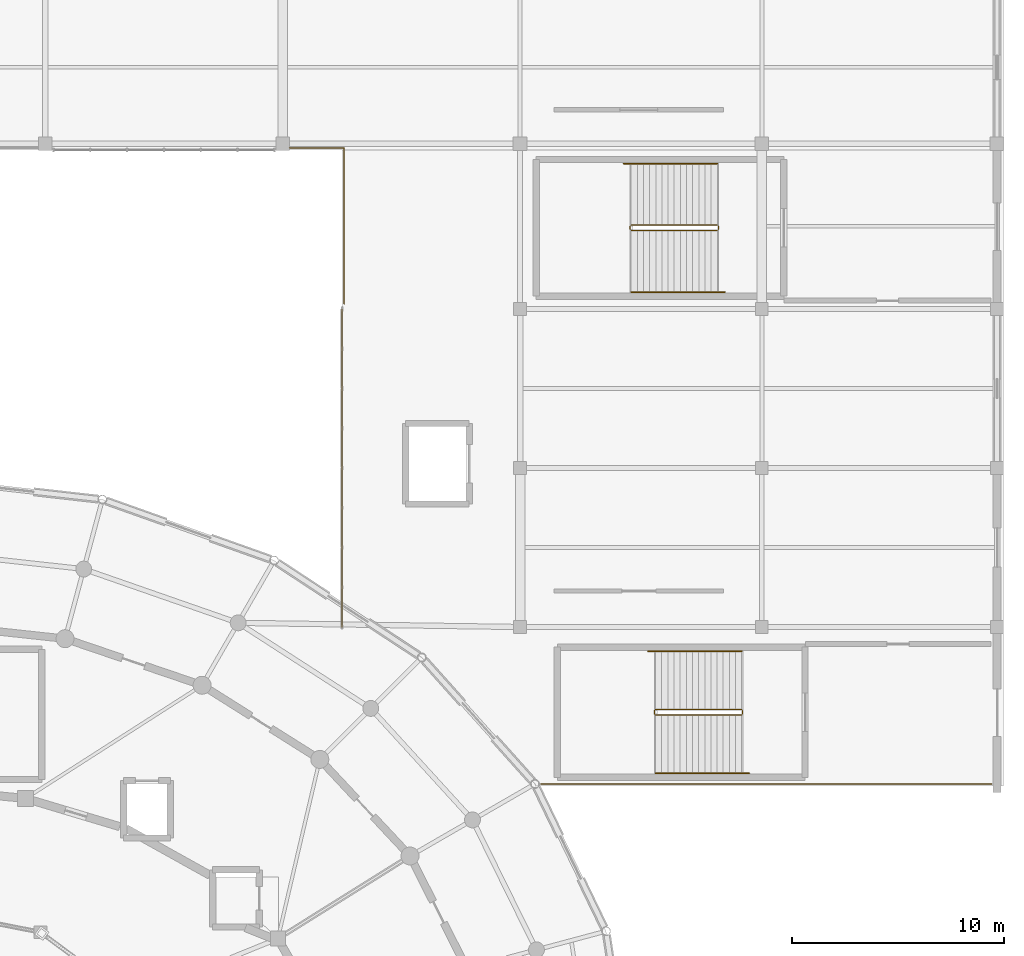
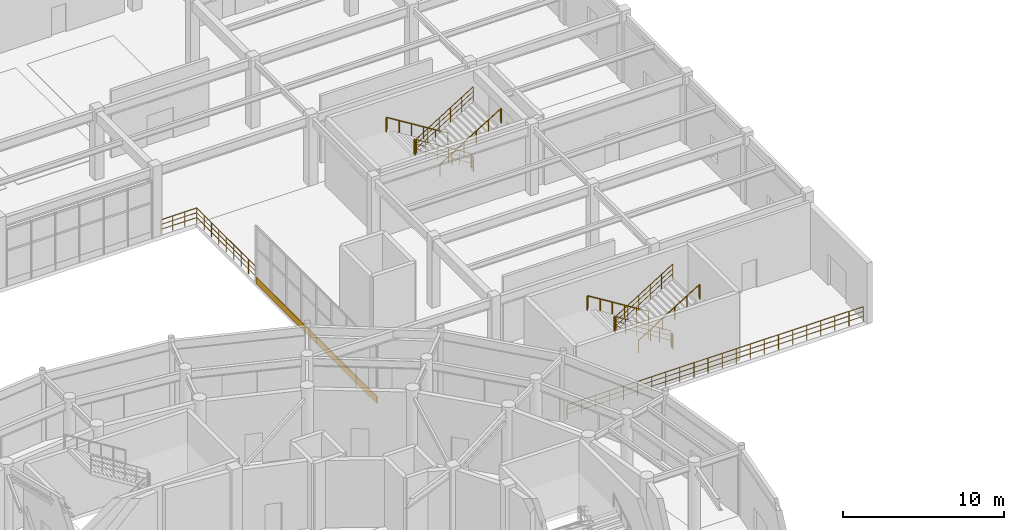
# One storey, part 92 of 93: 15 railings, 2 coverings.
"""IFC4 building model written with IfcOpenShell, lengths in metres."""

from ifc_helpers import new_model, si_unit, direction, frame, origin, origin_2d, place, context, subcontext, project, spatial, rectangle, circle, extrude, material, layer, layer_set, type_object, element, save


model = new_model("IFC4")

# Units and contexts
model_context = context("Model", 3, precision=1e-05, world=origin(), true_north=direction((0.0, 1.0)))
body_context = subcontext(model_context, "Body", "Model", "MODEL_VIEW")
ifc_project = project(units=[si_unit("LENGTHUNIT", "METRE"), si_unit("AREAUNIT", "SQUARE_METRE"), si_unit("VOLUMEUNIT", "CUBIC_METRE"), si_unit("PLANEANGLEUNIT", "RADIAN"), si_unit("MASSUNIT", "GRAM", prefix="KILO")], contexts=[model_context])

# Site, building, storey
site_placement = place(None, origin())
site = spatial("IfcSite", under=ifc_project, at=site_placement, CompositionType="ELEMENT")
building_placement = place(site_placement, origin())
building = spatial("IfcBuilding", under=site, at=building_placement, Name="Cinderbank Siding Concert Hall", CompositionType="ELEMENT")
storey_placement = place(building_placement, origin())
storey = spatial("IfcBuildingStorey", under=building, at=storey_placement, Name="L01", CompositionType="ELEMENT", Elevation=0.0)

# Coverings
ifc_material_1 = material(Name="Spotted gum glulam timber GL18 (42 MPa)", Category="wood")
ifc_layer = layer(ifc_material_1, 0.06494140625)
ifc_layer_set = layer_set([ifc_layer], Name="Spotted gum glulam timber GL18 (42 MPa)")
covering_type = type_object("IfcCoveringType", Name="CL-01 Spotted Gum Spandrel Band 520mm", PredefinedType="CLADDING", material=ifc_layer_set)
for number, where, z_axis, x_axis, name in (
    (1, (142.0, 69.550048828125, 0.0), (0.0, 0.0, 1.0), (0.0, 1.0, 0.0), "CW-L01-144 Spotted Gum Spandrel Band"),
    (2, (142.0, 77.050048828125, 0.0), (0.0, 0.0, 1.0), (0.0, 1.0, 0.0), "CW-L01-145 Spotted Gum Spandrel Band"),
):
    element("IfcCovering", number, at=place(storey_placement, frame(where, z_axis=z_axis, x_axis=x_axis)), inside=storey, type_object=covering_type, Name=name, PredefinedType="CLADDING", context=body_context, shape_type="SweptSolid", body=[
        extrude(rectangle(XDim=7.5, YDim=0.06494140625, at=origin_2d()), origin(), (0.0, 0.0, 1.0), 0.52001953125),
    ])

# Railings
ifc_material_2 = material(Name="Structural steel AS/NZS 3679.1 Grade 350 (340 MPa)", Category="steel")
railing_type_1 = type_object("IfcRailingType", Name="GD-01 Terrace & Perimeter Guardrail 1120mm", PredefinedType="GUARDRAIL", material=ifc_material_2)
railing_1_placement = place(storey_placement, frame((142.10009765625, 81.0400390625, 0.0)))
element("IfcRailing", 3, at=railing_1_placement, inside=storey, type_object=railing_type_1, Name="L01 Perimeter Guardrail #1", PredefinedType="GUARDRAIL", context=body_context, shape_type="SweptSolid", body=[
    extrude(circle(Radius=0.02392578125, at=origin_2d()), frame((0.0, 0.0, 1.09619140625), z_axis=(0.0, 1.0, 0.0), x_axis=(-1.0, 0.0, 0.0)), (0.0, 0.0, 1.0), 7.35986328125),
    extrude(circle(Radius=0.01611328125, at=origin_2d()), frame((0.0, 0.0, 0.36962890625), z_axis=(0.0, 1.0, 0.0), x_axis=(-1.0, 0.0, 0.0)), (0.0, 0.0, 1.0), 7.35986328125),
    extrude(circle(Radius=0.01611328125, at=origin_2d()), frame((0.0, 0.0, 0.7392578125), z_axis=(0.0, 1.0, 0.0), x_axis=(-1.0, 0.0, 0.0)), (0.0, 0.0, 1.0), 7.35986328125),
    extrude(circle(Radius=0.02099609375, at=origin_2d()), origin(), (0.0, 0.0, 1.0), 1.072021484375),
    extrude(circle(Radius=0.02099609375, at=origin_2d()), frame((0.0, 0.919921875, 0.0)), (0.0, 0.0, 1.0), 1.072021484375),
    extrude(circle(Radius=0.02099609375, at=origin_2d()), frame((0.0, 1.83984375, 0.0)), (0.0, 0.0, 1.0), 1.072021484375),
    extrude(circle(Radius=0.02099609375, at=origin_2d()), frame((0.0, 2.760009765625, 0.0)), (0.0, 0.0, 1.0), 1.072021484375),
    extrude(circle(Radius=0.02099609375, at=origin_2d()), frame((0.0, 3.679931640625, 0.0)), (0.0, 0.0, 1.0), 1.072021484375),
    extrude(circle(Radius=0.02099609375, at=origin_2d()), frame((0.0, 4.599853515625, 0.0)), (0.0, 0.0, 1.0), 1.072021484375),
    extrude(circle(Radius=0.02099609375, at=origin_2d()), frame((0.0, 5.52001953125, 0.0)), (0.0, 0.0, 1.0), 1.072021484375),
    extrude(circle(Radius=0.02099609375, at=origin_2d()), frame((0.0, 6.43994140625, 0.0)), (0.0, 0.0, 1.0), 1.072021484375),
    extrude(circle(Radius=0.02099609375, at=origin_2d()), frame((0.0, 7.35986328125, 0.0)), (0.0, 0.0, 1.0), 1.072021484375),
])
railing_2_placement = place(storey_placement, frame((142.10009765625, 88.39990234375, 0.0)))
element("IfcRailing", 4, at=railing_2_placement, inside=storey, type_object=railing_type_1, Name="L01 Perimeter Guardrail #2", PredefinedType="GUARDRAIL", context=body_context, shape_type="SweptSolid", body=[
    extrude(circle(Radius=0.02392578125, at=origin_2d()), frame((0.0, 0.0, 1.09619140625), z_axis=(-1.0, 0.0, 0.0), x_axis=(0.0, -1.0, 0.0)), (0.0, 0.0, 1.0), 2.57177734375),
    extrude(circle(Radius=0.01611328125, at=origin_2d()), frame((0.0, 0.0, 0.36962890625), z_axis=(-1.0, 0.0, 0.0), x_axis=(0.0, -1.0, 0.0)), (0.0, 0.0, 1.0), 2.57177734375),
    extrude(circle(Radius=0.01611328125, at=origin_2d()), frame((0.0, 0.0, 0.7392578125), z_axis=(-1.0, 0.0, 0.0), x_axis=(0.0, -1.0, 0.0)), (0.0, 0.0, 1.0), 2.57177734375),
    extrude(circle(Radius=0.02099609375, at=origin_2d()), origin(), (0.0, 0.0, 1.0), 1.072021484375),
    extrude(circle(Radius=0.02099609375, at=origin_2d()), frame((-0.857177734375, 0.0, 0.0)), (0.0, 0.0, 1.0), 1.072021484375),
    extrude(circle(Radius=0.02099609375, at=origin_2d()), frame((-1.714599609375, 0.0, 0.0)), (0.0, 0.0, 1.0), 1.072021484375),
    extrude(circle(Radius=0.02099609375, at=origin_2d()), frame((-2.57177734375, 0.0, 0.0)), (0.0, 0.0, 1.0), 1.072021484375),
])
railing_3_placement = place(storey_placement, frame((172.639892578125, 58.39990234375, 0.0)))
element("IfcRailing", 5, at=railing_3_placement, inside=storey, type_object=railing_type_1, Name="L01 Perimeter Guardrail #8", PredefinedType="GUARDRAIL", context=body_context, shape_type="SweptSolid", body=[
    extrude(circle(Radius=0.02392578125, at=origin_2d()), frame((0.0, 0.0, 1.09619140625), z_axis=(-1.0, 0.0, 0.0), x_axis=(0.0, -1.0, 0.0)), (0.0, 0.0, 1.0), 21.2626953125),
    extrude(circle(Radius=0.01611328125, at=origin_2d()), frame((0.0, 0.0, 0.36962890625), z_axis=(-1.0, 0.0, 0.0), x_axis=(0.0, -1.0, 0.0)), (0.0, 0.0, 1.0), 21.2626953125),
    extrude(circle(Radius=0.01611328125, at=origin_2d()), frame((0.0, 0.0, 0.7392578125), z_axis=(-1.0, 0.0, 0.0), x_axis=(0.0, -1.0, 0.0)), (0.0, 0.0, 1.0), 21.2626953125),
    extrude(circle(Radius=0.02099609375, at=origin_2d()), origin(), (0.0, 0.0, 1.0), 1.072021484375),
    extrude(circle(Radius=0.02099609375, at=origin_2d()), frame((-1.012451171875, 0.0, 0.0)), (0.0, 0.0, 1.0), 1.072021484375),
    extrude(circle(Radius=0.02099609375, at=origin_2d()), frame((-2.02490234375, 0.0, 0.0)), (0.0, 0.0, 1.0), 1.072021484375),
    extrude(circle(Radius=0.02099609375, at=origin_2d()), frame((-3.03759765625, 0.0, 0.0)), (0.0, 0.0, 1.0), 1.072021484375),
    extrude(circle(Radius=0.02099609375, at=origin_2d()), frame((-4.050048828125, 0.0, 0.0)), (0.0, 0.0, 1.0), 1.072021484375),
    extrude(circle(Radius=0.02099609375, at=origin_2d()), frame((-5.0625, 0.0, 0.0)), (0.0, 0.0, 1.0), 1.072021484375),
    extrude(circle(Radius=0.02099609375, at=origin_2d()), frame((-6.074951171875, 0.0, 0.0)), (0.0, 0.0, 1.0), 1.072021484375),
    extrude(circle(Radius=0.02099609375, at=origin_2d()), frame((-7.087646484375, 0.0, 0.0)), (0.0, 0.0, 1.0), 1.072021484375),
    extrude(circle(Radius=0.02099609375, at=origin_2d()), frame((-8.10009765625, 0.0, 0.0)), (0.0, 0.0, 1.0), 1.072021484375),
    extrude(circle(Radius=0.02099609375, at=origin_2d()), frame((-9.112548828125, 0.0, 0.0)), (0.0, 0.0, 1.0), 1.072021484375),
    extrude(circle(Radius=0.02099609375, at=origin_2d()), frame((-10.125, 0.0, 0.0)), (0.0, 0.0, 1.0), 1.072021484375),
    extrude(circle(Radius=0.02099609375, at=origin_2d()), frame((-11.1376953125, 0.0, 0.0)), (0.0, 0.0, 1.0), 1.072021484375),
    extrude(circle(Radius=0.02099609375, at=origin_2d()), frame((-12.150146484375, 0.0, 0.0)), (0.0, 0.0, 1.0), 1.072021484375),
    extrude(circle(Radius=0.02099609375, at=origin_2d()), frame((-13.16259765625, 0.0, 0.0)), (0.0, 0.0, 1.0), 1.072021484375),
    extrude(circle(Radius=0.02099609375, at=origin_2d()), frame((-14.175048828125, 0.0, 0.0)), (0.0, 0.0, 1.0), 1.072021484375),
    extrude(circle(Radius=0.02099609375, at=origin_2d()), frame((-15.187744140625, 0.0, 0.0)), (0.0, 0.0, 1.0), 1.072021484375),
    extrude(circle(Radius=0.02099609375, at=origin_2d()), frame((-16.2001953125, 0.0, 0.0)), (0.0, 0.0, 1.0), 1.072021484375),
    extrude(circle(Radius=0.02099609375, at=origin_2d()), frame((-17.212646484375, 0.0, 0.0)), (0.0, 0.0, 1.0), 1.072021484375),
    extrude(circle(Radius=0.02099609375, at=origin_2d()), frame((-18.22509765625, 0.0, 0.0)), (0.0, 0.0, 1.0), 1.072021484375),
    extrude(circle(Radius=0.02099609375, at=origin_2d()), frame((-19.23779296875, 0.0, 0.0)), (0.0, 0.0, 1.0), 1.072021484375),
    extrude(circle(Radius=0.02099609375, at=origin_2d()), frame((-20.250244140625, 0.0, 0.0)), (0.0, 0.0, 1.0), 1.072021484375),
    extrude(circle(Radius=0.02099609375, at=origin_2d()), frame((-21.2626953125, 0.0, 0.0)), (0.0, 0.0, 1.0), 1.072021484375),
])
railing_type_2 = type_object("IfcRailingType", Name="STG-01 Stair Well Guardrail 1120mm", PredefinedType="GUARDRAIL", material=ifc_material_2)
railing_4_placement = place(storey_placement, frame((159.699951171875, 84.760009765625, 0.179931640625)))
element("IfcRailing", 6, at=railing_4_placement, inside=storey, type_object=railing_type_2, Name="L01 ST-11 stair guard 1", PredefinedType="GUARDRAIL", context=body_context, shape_type="SweptSolid", body=[
    extrude(circle(Radius=0.02392578125, at=origin_2d()), frame((0.0, 0.0, 1.09619140625), z_axis=(-0.849641744969, 0.0, 0.527360318194), x_axis=(0.0, -1.0, 0.0)), (0.0, 0.0, 1.0), 4.778564453125),
    extrude(circle(Radius=0.01611328125, at=origin_2d()), frame((0.0, 0.0, 0.36962890625), z_axis=(-0.849641744969, 0.0, 0.527360318194), x_axis=(0.0, -1.0, 0.0)), (0.0, 0.0, 1.0), 4.778564453125),
    extrude(circle(Radius=0.01611328125, at=origin_2d()), frame((0.0, 0.0, 0.7392578125), z_axis=(-0.849641744969, 0.0, 0.527360318194), x_axis=(0.0, -1.0, 0.0)), (0.0, 0.0, 1.0), 4.778564453125),
    extrude(circle(Radius=0.02099609375, at=origin_2d()), origin(), (0.0, 0.0, 1.0), 1.072021484375),
    extrude(circle(Radius=0.02099609375, at=origin_2d()), frame((-0.81201171875, 0.0, 0.50390625)), (0.0, 0.0, 1.0), 1.072021484375),
    extrude(circle(Radius=0.02099609375, at=origin_2d()), frame((-1.6240234375, 0.0, 1.008056640625)), (0.0, 0.0, 1.0), 1.072021484375),
    extrude(circle(Radius=0.02099609375, at=origin_2d()), frame((-2.43603515625, 0.0, 1.511962890625)), (0.0, 0.0, 1.0), 1.072021484375),
    extrude(circle(Radius=0.02099609375, at=origin_2d()), frame((-3.248046875, 0.0, 2.01611328125)), (0.0, 0.0, 1.0), 1.072021484375),
    extrude(circle(Radius=0.02099609375, at=origin_2d()), frame((-4.06005859375, 0.0, 2.52001953125)), (0.0, 0.0, 1.0), 1.072021484375),
])
railing_5_placement = place(storey_placement, frame((155.590087890625, 84.7099609375, 2.699951171875)))
element("IfcRailing", 7, at=railing_5_placement, inside=storey, type_object=railing_type_2, Name="L01 ST-11 stair guard 2", PredefinedType="GUARDRAIL", context=body_context, shape_type="SweptSolid", body=[
    extrude(circle(Radius=0.02392578125, at=origin_2d()), frame((0.0, 0.0, 1.09619140625), z_axis=(0.0, -1.0, 0.0), x_axis=(1.0, 0.0, 0.0)), (0.0, 0.0, 1.0), 0.159912109375),
    extrude(circle(Radius=0.01611328125, at=origin_2d()), frame((0.0, 0.0, 0.36962890625), z_axis=(0.0, -1.0, 0.0), x_axis=(1.0, 0.0, 0.0)), (0.0, 0.0, 1.0), 0.159912109375),
    extrude(circle(Radius=0.01611328125, at=origin_2d()), frame((0.0, 0.0, 0.7392578125), z_axis=(0.0, -1.0, 0.0), x_axis=(1.0, 0.0, 0.0)), (0.0, 0.0, 1.0), 0.159912109375),
    extrude(circle(Radius=0.02099609375, at=origin_2d()), origin(), (0.0, 0.0, 1.0), 1.072021484375),
    extrude(circle(Radius=0.02099609375, at=origin_2d()), frame((0.0, -0.159912109375, 0.0)), (0.0, 0.0, 1.0), 1.072021484375),
])
railing_6_placement = place(storey_placement, frame((155.639892578125, 84.5, 2.8798828125)))
element("IfcRailing", 8, at=railing_6_placement, inside=storey, type_object=railing_type_2, Name="L01 ST-11 stair guard 3", PredefinedType="GUARDRAIL", context=body_context, shape_type="SweptSolid", body=[
    extrude(circle(Radius=0.02392578125, at=origin_2d()), frame((0.0, 0.0, 1.09619140625), z_axis=(0.849641744969, 0.0, 0.527360318194), x_axis=(0.0, 1.0, 0.0)), (0.0, 0.0, 1.0), 4.778564453125),
    extrude(circle(Radius=0.01611328125, at=origin_2d()), frame((0.0, 0.0, 0.36962890625), z_axis=(0.849641744969, 0.0, 0.527360318194), x_axis=(0.0, 1.0, 0.0)), (0.0, 0.0, 1.0), 4.778564453125),
    extrude(circle(Radius=0.01611328125, at=origin_2d()), frame((0.0, 0.0, 0.7392578125), z_axis=(0.849641744969, 0.0, 0.527360318194), x_axis=(0.0, 1.0, 0.0)), (0.0, 0.0, 1.0), 4.778564453125),
    extrude(circle(Radius=0.02099609375, at=origin_2d()), origin(), (0.0, 0.0, 1.0), 1.072021484375),
    extrude(circle(Radius=0.02099609375, at=origin_2d()), frame((0.81201171875, 0.0, 0.50390625)), (0.0, 0.0, 1.0), 1.072021484375),
    extrude(circle(Radius=0.02099609375, at=origin_2d()), frame((1.6240234375, 0.0, 1.008056640625)), (0.0, 0.0, 1.0), 1.072021484375),
    extrude(circle(Radius=0.02099609375, at=origin_2d()), frame((2.43603515625, 0.0, 1.511962890625)), (0.0, 0.0, 1.0), 1.072021484375),
    extrude(circle(Radius=0.02099609375, at=origin_2d()), frame((3.248046875, 0.0, 2.01611328125)), (0.0, 0.0, 1.0), 1.072021484375),
    extrude(circle(Radius=0.02099609375, at=origin_2d()), frame((4.06005859375, 0.0, 2.52001953125)), (0.0, 0.0, 1.0), 1.072021484375),
])
railing_7_placement = place(storey_placement, frame((159.75, 84.7099609375, 0.0)))
element("IfcRailing", 9, at=railing_7_placement, inside=storey, type_object=railing_type_2, Name="L01 ST-11 stair guard 4", PredefinedType="GUARDRAIL", context=body_context, shape_type="SweptSolid", body=[
    extrude(circle(Radius=0.02392578125, at=origin_2d()), frame((0.0, 0.0, 1.09619140625), z_axis=(0.0, -1.0, 0.0), x_axis=(1.0, 0.0, 0.0)), (0.0, 0.0, 1.0), 0.159912109375),
    extrude(circle(Radius=0.01611328125, at=origin_2d()), frame((0.0, 0.0, 0.36962890625), z_axis=(0.0, -1.0, 0.0), x_axis=(1.0, 0.0, 0.0)), (0.0, 0.0, 1.0), 0.159912109375),
    extrude(circle(Radius=0.01611328125, at=origin_2d()), frame((0.0, 0.0, 0.7392578125), z_axis=(0.0, -1.0, 0.0), x_axis=(1.0, 0.0, 0.0)), (0.0, 0.0, 1.0), 0.159912109375),
    extrude(circle(Radius=0.02099609375, at=origin_2d()), origin(), (0.0, 0.0, 1.0), 1.072021484375),
    extrude(circle(Radius=0.02099609375, at=origin_2d()), frame((0.0, -0.159912109375, 0.0)), (0.0, 0.0, 1.0), 1.072021484375),
])
railing_8_placement = place(storey_placement, frame((160.85009765625, 61.909912109375, 0.179931640625)))
element("IfcRailing", 10, at=railing_8_placement, inside=storey, type_object=railing_type_2, Name="L01 ST-12 stair guard 1", PredefinedType="GUARDRAIL", context=body_context, shape_type="SweptSolid", body=[
    extrude(circle(Radius=0.02392578125, at=origin_2d()), frame((0.0, 0.0, 1.09619140625), z_axis=(-0.849641744969, 0.0, 0.527360318194), x_axis=(0.0, -1.0, 0.0)), (0.0, 0.0, 1.0), 4.778564453125),
    extrude(circle(Radius=0.01611328125, at=origin_2d()), frame((0.0, 0.0, 0.36962890625), z_axis=(-0.849641744969, 0.0, 0.527360318194), x_axis=(0.0, -1.0, 0.0)), (0.0, 0.0, 1.0), 4.778564453125),
    extrude(circle(Radius=0.01611328125, at=origin_2d()), frame((0.0, 0.0, 0.7392578125), z_axis=(-0.849641744969, 0.0, 0.527360318194), x_axis=(0.0, -1.0, 0.0)), (0.0, 0.0, 1.0), 4.778564453125),
    extrude(circle(Radius=0.02099609375, at=origin_2d()), origin(), (0.0, 0.0, 1.0), 1.072021484375),
    extrude(circle(Radius=0.02099609375, at=origin_2d()), frame((-0.81201171875, 0.0, 0.50390625)), (0.0, 0.0, 1.0), 1.072021484375),
    extrude(circle(Radius=0.02099609375, at=origin_2d()), frame((-1.6240234375, 0.0, 1.008056640625)), (0.0, 0.0, 1.0), 1.072021484375),
    extrude(circle(Radius=0.02099609375, at=origin_2d()), frame((-2.43603515625, 0.0, 1.511962890625)), (0.0, 0.0, 1.0), 1.072021484375),
    extrude(circle(Radius=0.02099609375, at=origin_2d()), frame((-3.248046875, 0.0, 2.01611328125)), (0.0, 0.0, 1.0), 1.072021484375),
    extrude(circle(Radius=0.02099609375, at=origin_2d()), frame((-4.06005859375, 0.0, 2.52001953125)), (0.0, 0.0, 1.0), 1.072021484375),
])
railing_9_placement = place(storey_placement, frame((156.739990234375, 61.860107421875, 2.699951171875)))
element("IfcRailing", 11, at=railing_9_placement, inside=storey, type_object=railing_type_2, Name="L01 ST-12 stair guard 2", PredefinedType="GUARDRAIL", context=body_context, shape_type="SweptSolid", body=[
    extrude(circle(Radius=0.02392578125, at=origin_2d()), frame((0.0, 0.0, 1.09619140625), z_axis=(0.0, -1.0, 0.0), x_axis=(1.0, 0.0, 0.0)), (0.0, 0.0, 1.0), 0.16015625),
    extrude(circle(Radius=0.01611328125, at=origin_2d()), frame((0.0, 0.0, 0.36962890625), z_axis=(0.0, -1.0, 0.0), x_axis=(1.0, 0.0, 0.0)), (0.0, 0.0, 1.0), 0.16015625),
    extrude(circle(Radius=0.01611328125, at=origin_2d()), frame((0.0, 0.0, 0.7392578125), z_axis=(0.0, -1.0, 0.0), x_axis=(1.0, 0.0, 0.0)), (0.0, 0.0, 1.0), 0.16015625),
    extrude(circle(Radius=0.02099609375, at=origin_2d()), origin(), (0.0, 0.0, 1.0), 1.072021484375),
    extrude(circle(Radius=0.02099609375, at=origin_2d()), frame((0.0, -0.16015625, 0.0)), (0.0, 0.0, 1.0), 1.072021484375),
])
railing_10_placement = place(storey_placement, frame((156.7900390625, 61.64990234375, 2.8798828125)))
element("IfcRailing", 12, at=railing_10_placement, inside=storey, type_object=railing_type_2, Name="L01 ST-12 stair guard 3", PredefinedType="GUARDRAIL", context=body_context, shape_type="SweptSolid", body=[
    extrude(circle(Radius=0.02392578125, at=origin_2d()), frame((0.0, 0.0, 1.09619140625), z_axis=(0.849641744969, 0.0, 0.527360318194), x_axis=(0.0, 1.0, 0.0)), (0.0, 0.0, 1.0), 4.778564453125),
    extrude(circle(Radius=0.01611328125, at=origin_2d()), frame((0.0, 0.0, 0.36962890625), z_axis=(0.849641744969, 0.0, 0.527360318194), x_axis=(0.0, 1.0, 0.0)), (0.0, 0.0, 1.0), 4.778564453125),
    extrude(circle(Radius=0.01611328125, at=origin_2d()), frame((0.0, 0.0, 0.7392578125), z_axis=(0.849641744969, 0.0, 0.527360318194), x_axis=(0.0, 1.0, 0.0)), (0.0, 0.0, 1.0), 4.778564453125),
    extrude(circle(Radius=0.02099609375, at=origin_2d()), origin(), (0.0, 0.0, 1.0), 1.072021484375),
    extrude(circle(Radius=0.02099609375, at=origin_2d()), frame((0.81201171875, 0.0, 0.50390625)), (0.0, 0.0, 1.0), 1.072021484375),
    extrude(circle(Radius=0.02099609375, at=origin_2d()), frame((1.6240234375, 0.0, 1.008056640625)), (0.0, 0.0, 1.0), 1.072021484375),
    extrude(circle(Radius=0.02099609375, at=origin_2d()), frame((2.43603515625, 0.0, 1.511962890625)), (0.0, 0.0, 1.0), 1.072021484375),
    extrude(circle(Radius=0.02099609375, at=origin_2d()), frame((3.248046875, 0.0, 2.01611328125)), (0.0, 0.0, 1.0), 1.072021484375),
    extrude(circle(Radius=0.02099609375, at=origin_2d()), frame((4.06005859375, 0.0, 2.52001953125)), (0.0, 0.0, 1.0), 1.072021484375),
])
railing_11_placement = place(storey_placement, frame((160.89990234375, 61.860107421875, 0.0)))
element("IfcRailing", 13, at=railing_11_placement, inside=storey, type_object=railing_type_2, Name="L01 ST-12 stair guard 4", PredefinedType="GUARDRAIL", context=body_context, shape_type="SweptSolid", body=[
    extrude(circle(Radius=0.02392578125, at=origin_2d()), frame((0.0, 0.0, 1.09619140625), z_axis=(0.0, -1.0, 0.0), x_axis=(1.0, 0.0, 0.0)), (0.0, 0.0, 1.0), 0.16015625),
    extrude(circle(Radius=0.01611328125, at=origin_2d()), frame((0.0, 0.0, 0.36962890625), z_axis=(0.0, -1.0, 0.0), x_axis=(1.0, 0.0, 0.0)), (0.0, 0.0, 1.0), 0.16015625),
    extrude(circle(Radius=0.01611328125, at=origin_2d()), frame((0.0, 0.0, 0.7392578125), z_axis=(0.0, -1.0, 0.0), x_axis=(1.0, 0.0, 0.0)), (0.0, 0.0, 1.0), 0.16015625),
    extrude(circle(Radius=0.02099609375, at=origin_2d()), origin(), (0.0, 0.0, 1.0), 1.072021484375),
    extrude(circle(Radius=0.02099609375, at=origin_2d()), frame((0.0, -0.16015625, 0.0)), (0.0, 0.0, 1.0), 1.072021484375),
])
railing_type_3 = type_object("IfcRailingType", Name="STH-01 Stair Pitch Handrail 920mm", PredefinedType="HANDRAIL", material=ifc_material_2)
railing_12_placement = place(storey_placement, frame((159.699951171875, 87.659912109375, 0.179931640625)))
element("IfcRailing", 14, at=railing_12_placement, inside=storey, type_object=railing_type_3, Name="L01 ST-11 stair handrail 1", PredefinedType="HANDRAIL", context=body_context, shape_type="SweptSolid", body=[
    extrude(circle(Radius=0.02392578125, at=origin_2d()), frame((0.0, 0.0, 0.89599609375), z_axis=(-0.849636482215, 0.0, 0.527368797038), x_axis=(0.0, -1.0, 0.0)), (0.0, 0.0, 1.0), 5.11962890625),
    extrude(circle(Radius=0.02392578125, at=origin_2d()), frame((-4.349853515625, 0.0, 3.595703125), z_axis=(-1.0, 0.0, 0.0), x_axis=(0.0, -1.0, 0.0)), (0.0, 0.0, 1.0), 0.06005859375),
    extrude(circle(Radius=0.02099609375, at=origin_2d()), origin(), (0.0, 0.0, 1.0), 0.871826171875),
    extrude(circle(Radius=0.02099609375, at=origin_2d()), frame((-0.869873046875, 0.0, 0.5400390625)), (0.0, 0.0, 1.0), 0.871826171875),
    extrude(circle(Radius=0.02099609375, at=origin_2d()), frame((-1.739990234375, 0.0, 1.080078125)), (0.0, 0.0, 1.0), 0.871826171875),
    extrude(circle(Radius=0.02099609375, at=origin_2d()), frame((-2.60986328125, 0.0, 1.619873046875)), (0.0, 0.0, 1.0), 0.871826171875),
    extrude(circle(Radius=0.02099609375, at=origin_2d()), frame((-3.47998046875, 0.0, 2.159912109375)), (0.0, 0.0, 1.0), 0.871826171875),
    extrude(circle(Radius=0.02099609375, at=origin_2d()), frame((-4.349853515625, 0.0, 2.699951171875)), (0.0, 0.0, 1.0), 0.871826171875),
    extrude(circle(Radius=0.02099609375, at=origin_2d()), frame((-4.409912109375, 0.0, 2.52001953125)), (0.0, 0.0, 1.0), 1.0517578125),
])
railing_13_placement = place(storey_placement, frame((155.639892578125, 81.60009765625, 2.8798828125)))
element("IfcRailing", 15, at=railing_13_placement, inside=storey, type_object=railing_type_3, Name="L01 ST-11 stair handrail 2", PredefinedType="HANDRAIL", context=body_context, shape_type="SweptSolid", body=[
    extrude(circle(Radius=0.02392578125, at=origin_2d()), frame((0.0, 0.0, 0.89599609375), z_axis=(0.849628378081, 0.0, 0.527381853271), x_axis=(0.0, 1.0, 0.0)), (0.0, 0.0, 1.0), 5.1201171875),
    extrude(circle(Radius=0.02392578125, at=origin_2d()), frame((4.35009765625, 0.0, 3.59619140625), z_axis=(1.0, 0.0, 0.0), x_axis=(0.0, 1.0, 0.0)), (0.0, 0.0, 1.0), 0.06005859375),
    extrude(circle(Radius=0.02099609375, at=origin_2d()), origin(), (0.0, 0.0, 1.0), 0.871826171875),
    extrude(circle(Radius=0.02099609375, at=origin_2d()), frame((0.8701171875, 0.0, 0.5400390625)), (0.0, 0.0, 1.0), 0.871826171875),
    extrude(circle(Radius=0.02099609375, at=origin_2d()), frame((1.739990234375, 0.0, 1.080078125)), (0.0, 0.0, 1.0), 0.871826171875),
    extrude(circle(Radius=0.02099609375, at=origin_2d()), frame((2.610107421875, 0.0, 1.6201171875)), (0.0, 0.0, 1.0), 0.871826171875),
    extrude(circle(Radius=0.02099609375, at=origin_2d()), frame((3.47998046875, 0.0, 2.16015625)), (0.0, 0.0, 1.0), 0.871826171875),
    extrude(circle(Radius=0.02099609375, at=origin_2d()), frame((4.35009765625, 0.0, 2.7001953125)), (0.0, 0.0, 1.0), 0.871826171875),
    extrude(circle(Radius=0.02099609375, at=origin_2d()), frame((4.41015625, 0.0, 2.520263671875)), (0.0, 0.0, 1.0), 1.0517578125),
])
railing_14_placement = place(storey_placement, frame((160.85009765625, 64.659912109375, 0.179931640625)))
element("IfcRailing", 16, at=railing_14_placement, inside=storey, type_object=railing_type_3, Name="L01 ST-12 stair handrail 1", PredefinedType="HANDRAIL", context=body_context, shape_type="SweptSolid", body=[
    extrude(circle(Radius=0.02392578125, at=origin_2d()), frame((0.0, 0.0, 0.89599609375), z_axis=(-0.849649743971, 0.0, 0.527347430608), x_axis=(0.0, -1.0, 0.0)), (0.0, 0.0, 1.0), 5.119873046875),
    extrude(circle(Radius=0.02392578125, at=origin_2d()), frame((-4.35009765625, 0.0, 3.595703125), z_axis=(-1.0, 0.0, 0.0), x_axis=(0.0, -1.0, 0.0)), (0.0, 0.0, 1.0), 0.06005859375),
    extrude(circle(Radius=0.02099609375, at=origin_2d()), origin(), (0.0, 0.0, 1.0), 0.871826171875),
    extrude(circle(Radius=0.02099609375, at=origin_2d()), frame((-0.8701171875, 0.0, 0.5400390625)), (0.0, 0.0, 1.0), 0.871826171875),
    extrude(circle(Radius=0.02099609375, at=origin_2d()), frame((-1.739990234375, 0.0, 1.080078125)), (0.0, 0.0, 1.0), 0.871826171875),
    extrude(circle(Radius=0.02099609375, at=origin_2d()), frame((-2.610107421875, 0.0, 1.619873046875)), (0.0, 0.0, 1.0), 0.871826171875),
    extrude(circle(Radius=0.02099609375, at=origin_2d()), frame((-3.47998046875, 0.0, 2.159912109375)), (0.0, 0.0, 1.0), 0.871826171875),
    extrude(circle(Radius=0.02099609375, at=origin_2d()), frame((-4.35009765625, 0.0, 2.699951171875)), (0.0, 0.0, 1.0), 0.871826171875),
    extrude(circle(Radius=0.02099609375, at=origin_2d()), frame((-4.41015625, 0.0, 2.52001953125)), (0.0, 0.0, 1.0), 1.0517578125),
])
railing_15_placement = place(storey_placement, frame((156.7900390625, 58.89990234375, 2.8798828125)))
element("IfcRailing", 17, at=railing_15_placement, inside=storey, type_object=railing_type_3, Name="L01 ST-12 stair handrail 2", PredefinedType="HANDRAIL", context=body_context, shape_type="SweptSolid", body=[
    extrude(circle(Radius=0.02392578125, at=origin_2d()), frame((0.0, 0.0, 0.89599609375), z_axis=(0.849615114927, 0.0, 0.52740322002), x_axis=(0.0, 1.0, 0.0)), (0.0, 0.0, 1.0), 5.119873046875),
    extrude(circle(Radius=0.02392578125, at=origin_2d()), frame((4.349853515625, 0.0, 3.59619140625), z_axis=(1.0, 0.0, 0.0), x_axis=(0.0, 1.0, 0.0)), (0.0, 0.0, 1.0), 0.06005859375),
    extrude(circle(Radius=0.02099609375, at=origin_2d()), origin(), (0.0, 0.0, 1.0), 0.871826171875),
    extrude(circle(Radius=0.02099609375, at=origin_2d()), frame((0.869873046875, 0.0, 0.5400390625)), (0.0, 0.0, 1.0), 0.871826171875),
    extrude(circle(Radius=0.02099609375, at=origin_2d()), frame((1.739990234375, 0.0, 1.080078125)), (0.0, 0.0, 1.0), 0.871826171875),
    extrude(circle(Radius=0.02099609375, at=origin_2d()), frame((2.60986328125, 0.0, 1.6201171875)), (0.0, 0.0, 1.0), 0.871826171875),
    extrude(circle(Radius=0.02099609375, at=origin_2d()), frame((3.47998046875, 0.0, 2.16015625)), (0.0, 0.0, 1.0), 0.871826171875),
    extrude(circle(Radius=0.02099609375, at=origin_2d()), frame((4.349853515625, 0.0, 2.7001953125)), (0.0, 0.0, 1.0), 0.871826171875),
    extrude(circle(Radius=0.02099609375, at=origin_2d()), frame((4.409912109375, 0.0, 2.520263671875)), (0.0, 0.0, 1.0), 1.0517578125),
])

save(model, "model.ifc")
